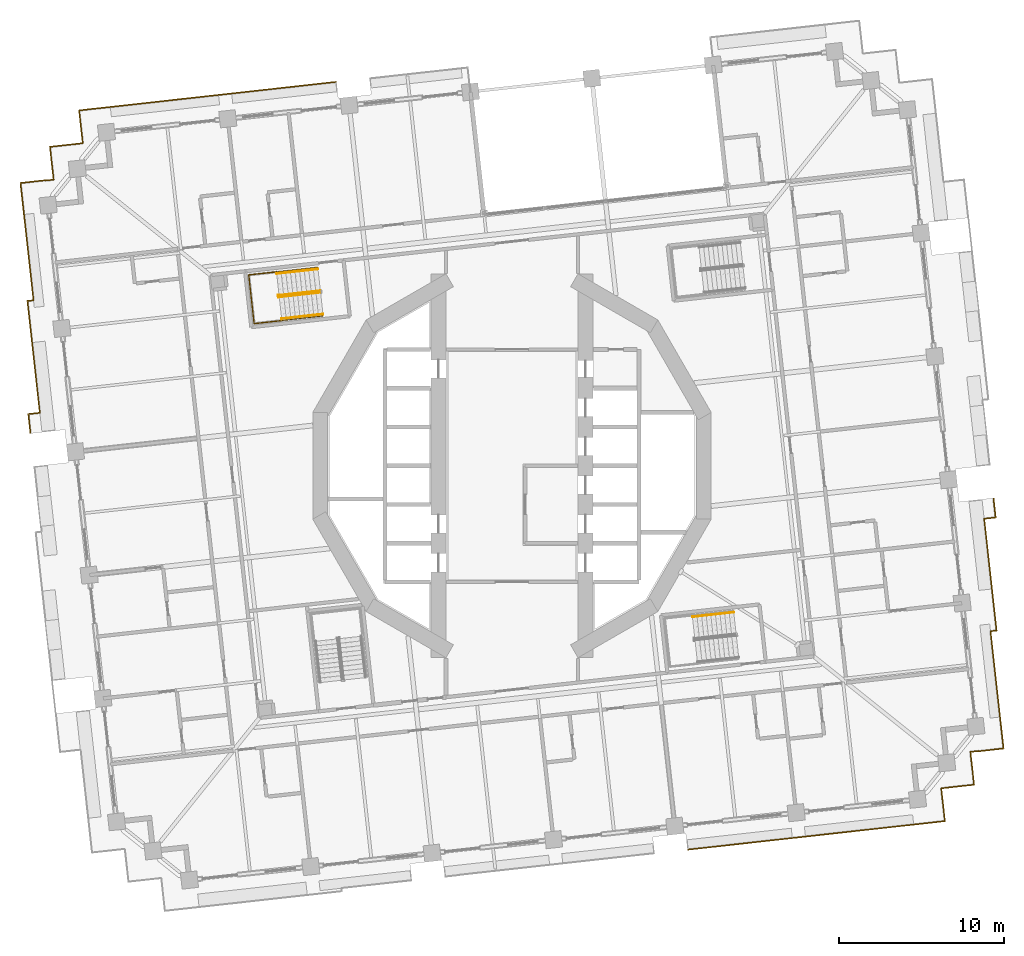
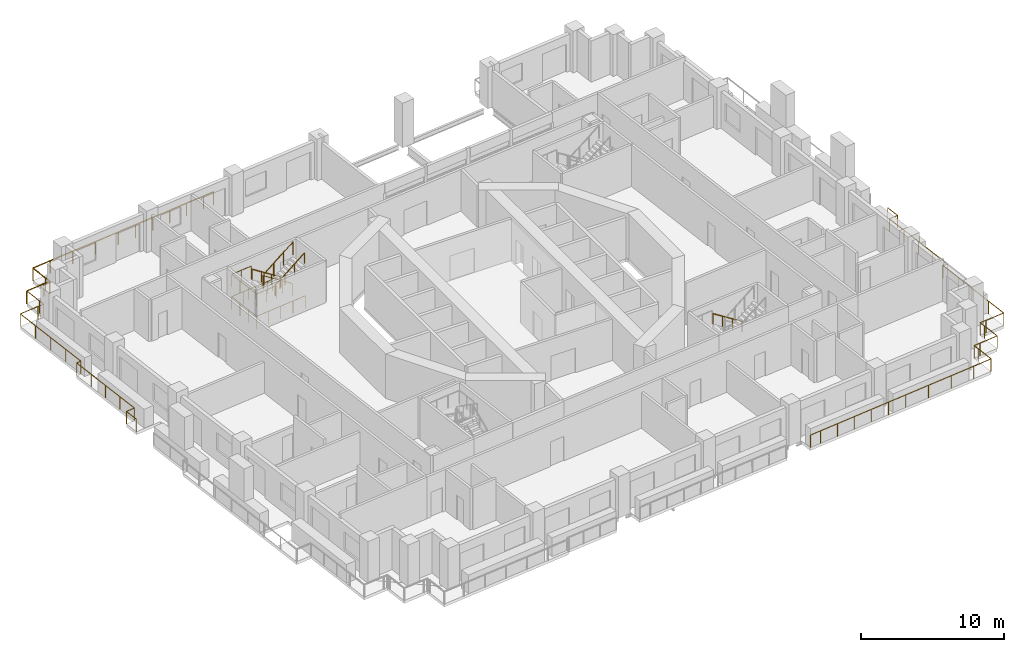
# One storey, part 17 of 20: 11 railings.
"""IFC4 building model written with IfcOpenShell, lengths in metres."""

import ifcopenshell
import ifcopenshell.guid

model = None  # the IFC model being written
_history = None  # IfcOwnerHistory: only IFC2X3 demands one
_inside = {}  # id of a spatial element -> (the spatial element, [elements in it])
_under = {}  # id of a project, library or spatial element -> (it, [spatial elements below it])
_declared = {}  # id of a project -> (the project, [libraries it declares])
_typed = {}  # id of a type object -> (the type object, [elements of that type])
_made_of = {}  # id of a material, layer set ... -> (it, [elements and type objects made of it])


def new_model(schema):
    """Start an empty IFC model of exactly this schema.

    Asked for "IFC4X3", IfcOpenShell would pick the latest addendum, in which some entities
    have other attributes; the version numbers below select the first issue.
    IFC2X3 requires an IfcOwnerHistory on every rooted entity: one is made here for all.
    """
    global model, _history
    if schema == "IFC4X3":
        model = ifcopenshell.file(schema_version=(4, 3, 0, 0))
    else:
        model = ifcopenshell.file(schema=schema)
    _inside.clear()
    _under.clear()
    _declared.clear()
    _typed.clear()
    _made_of.clear()
    _history = None
    if model.schema == "IFC2X3":
        org = make("IfcOrganization", Name="unknown")
        user = make(
            "IfcPersonAndOrganization",
            ThePerson=make("IfcPerson", FamilyName="unknown"),
            TheOrganization=org,
        )
        app = make(
            "IfcApplication",
            ApplicationDeveloper=org,
            Version="unknown",
            ApplicationFullName="unknown",
            ApplicationIdentifier="unknown",
        )
        _history = make(
            "IfcOwnerHistory",
            OwningUser=user,
            OwningApplication=app,
            ChangeAction="ADDED",
            CreationDate=0,
        )
    return model


def make(cls, **values):
    """One entity of the class cls with the attributes given. An attribute that is None is left unset."""
    return model.create_entity(
        cls, **{name: value for name, value in values.items() if value is not None}
    )


def rooted(cls, **values):
    """An entity with a GlobalId (a new one), such as an element, a storey or a relation."""
    return make(cls, GlobalId=ifcopenshell.guid.new(), OwnerHistory=_history, **values)


def si_unit(unit_type, name, prefix=None):
    """IfcSIUnit, for example si_unit("LENGTHUNIT", "METRE", prefix="MILLI")."""
    return make("IfcSIUnit", UnitType=unit_type, Prefix=prefix, Name=name)


def assignment(units):
    """IfcUnitAssignment: the units of a project."""
    return None if units is None else make("IfcUnitAssignment", Units=units)


def point(xyz):
    """IfcCartesianPoint."""
    return None if xyz is None else make("IfcCartesianPoint", Coordinates=xyz)


def direction(xyz):
    """IfcDirection."""
    return None if xyz is None else make("IfcDirection", DirectionRatios=xyz)


def frame(location, z_axis=None, x_axis=None):
    """IfcAxis2Placement3D, a coordinate frame: its origin and axes. An axis left out is left unset."""
    return make(
        "IfcAxis2Placement3D",
        Location=point(location),
        Axis=direction(z_axis),
        RefDirection=direction(x_axis),
    )


def frame_2d(location, x_axis=None):
    """IfcAxis2Placement2D, a coordinate frame in the plane: its origin and x axis."""
    return make(
        "IfcAxis2Placement2D", Location=point(location), RefDirection=direction(x_axis)
    )


def origin():
    """The frame at (0, 0, 0) with its axes left unset."""
    return frame((0.0, 0.0, 0.0))


def origin_2d():
    """The frame at (0, 0) in the plane with its x axis left unset."""
    return frame_2d((0.0, 0.0))


def place(relative_to, where):
    """IfcLocalPlacement: puts the frame where relative to a parent placement (None: the world)."""
    return make(
        "IfcLocalPlacement", PlacementRelTo=relative_to, RelativePlacement=where
    )


def context(
    kind, dimensions, precision=None, world=None, true_north=None, identifier=None
):
    """IfcGeometricRepresentationContext, for example the 3D "Model" context."""
    return make(
        "IfcGeometricRepresentationContext",
        ContextIdentifier=identifier,
        ContextType=kind,
        CoordinateSpaceDimension=dimensions,
        Precision=precision,
        WorldCoordinateSystem=world,
        TrueNorth=true_north,
    )


def subcontext(parent, identifier, kind, view, scale=None):
    """IfcGeometricRepresentationSubContext, for example "Body" below "Model"."""
    return make(
        "IfcGeometricRepresentationSubContext",
        ContextIdentifier=identifier,
        ContextType=kind,
        ParentContext=parent,
        TargetScale=scale,
        TargetView=view,
    )


def project(units=None, contexts=None):
    """IfcProject with its units and contexts."""
    return rooted(
        "IfcProject",
        Name="project",
        RepresentationContexts=contexts,
        UnitsInContext=assignment(units),
    )


def spatial(cls, under=None, at=None, **own):
    """A site, building, storey or space (cls), placed at a placement, below another one or the project."""
    s = rooted(cls, ObjectPlacement=at, **own)
    if under is not None:
        _under.setdefault(under.id(), (under, []))[1].append(s)
    return s


def profile(cls, at=None, kind="AREA", **sizes):
    """A parametric profile (cls). Its sizes go by their IFC names, for example OverallWidth=200.0."""
    return make(cls, ProfileType=kind, Position=at, **sizes)


def circle(**sizes):
    """IfcCircleProfileDef."""
    return profile("IfcCircleProfileDef", **sizes)


def extrude(swept, where, along, depth):
    """IfcExtrudedAreaSolid: the profile swept, set in the frame where, extruded along a direction by depth."""
    return make(
        "IfcExtrudedAreaSolid",
        SweptArea=swept,
        Position=where,
        ExtrudedDirection=direction(along),
        Depth=depth,
    )


def shape(context_of_items, identifier, shape_type, items):
    """IfcShapeRepresentation: the items that make up one representation, for example the "Body"."""
    return make(
        "IfcShapeRepresentation",
        ContextOfItems=context_of_items,
        RepresentationIdentifier=identifier,
        RepresentationType=shape_type,
        Items=items,
    )


def material(Name=None, Category=None):
    """IfcMaterial."""
    return make("IfcMaterial", Name=Name, Category=Category)


def made_of(thing, what):
    """Note that an element or type object is made of a material, layer set ...; save() writes the relation."""
    if what is not None:
        _made_of.setdefault(what.id(), (what, []))[1].append(thing)
    return thing


def type_object(cls, material=None, **own):
    """A type object (cls), such as IfcWallType, which elements share."""
    return made_of(rooted(cls, **own), material)


def element(
    cls,
    number,
    at=None,
    inside=None,
    cuts=None,
    type_object=None,
    material=None,
    context=None,
    identifier="Body",
    shape_type=None,
    held_by="IfcProductDefinitionShape",
    body=None,
    shapes=None,
    **own,
):
    """One element of the class cls, such as IfcWall. Its Tag is "e" and its number.

    at: its placement. inside: the storey or other place that contains it. cuts: it is an
    opening in that element (IfcRelVoidsElement). A single representation is given by context,
    identifier, shape_type and body (its items); several are given by shapes. held_by: the class
    of the entity that holds the representations. save() writes the other relations.
    """
    e = rooted(cls, Tag="e%d" % number, ObjectPlacement=at, **own)
    if body is not None:
        shapes = [shape(context, identifier, shape_type, body)]
    if shapes is not None:
        e.Representation = make(held_by, Representations=shapes)
    if inside is not None:
        _inside.setdefault(inside.id(), (inside, []))[1].append(e)
    if cuts is not None:
        rooted(
            "IfcRelVoidsElement", RelatingBuildingElement=cuts, RelatedOpeningElement=e
        )
    if type_object is not None:
        _typed.setdefault(type_object.id(), (type_object, []))[1].append(e)
    return made_of(e, material)


def aggregate(whole, parts):
    """IfcRelAggregates: a whole, such as a stair, and the parts it consists of."""
    return rooted("IfcRelAggregates", RelatingObject=whole, RelatedObjects=parts)


def save(model, path):
    """Write the relations noted so far, then the file.

    IfcRelAggregates (storeys below a building ...), IfcRelContainedInSpatialStructure (elements
    in a storey), IfcRelDefinesByType, IfcRelAssociatesMaterial and IfcRelDeclares: one each for
    every whole, place, type object, material and project.
    """
    for whole, parts in _under.values():
        aggregate(whole, parts)
    for where, things in _inside.values():
        rooted(
            "IfcRelContainedInSpatialStructure",
            RelatedElements=things,
            RelatingStructure=where,
        )
    for kind, things in _typed.values():
        rooted("IfcRelDefinesByType", RelatedObjects=things, RelatingType=kind)
    for what, things in _made_of.values():
        rooted("IfcRelAssociatesMaterial", RelatedObjects=things, RelatingMaterial=what)
    for by, libraries in _declared.values():
        rooted("IfcRelDeclares", RelatingContext=by, RelatedDefinitions=libraries)
    model.write(path)


model = new_model("IFC4")

# Units and contexts
model_context = context("Model", 3, precision=1e-05, world=origin(), true_north=direction((0.0, 1.0)))
body_context = subcontext(model_context, "Body", "Model", "MODEL_VIEW")
ifc_project = project(units=[si_unit("LENGTHUNIT", "METRE"), si_unit("AREAUNIT", "SQUARE_METRE"), si_unit("VOLUMEUNIT", "CUBIC_METRE"), si_unit("PLANEANGLEUNIT", "RADIAN"), si_unit("MASSUNIT", "GRAM", prefix="KILO")], contexts=[model_context])

# Site, building, storey
site_placement = place(None, origin())
site = spatial("IfcSite", under=ifc_project, at=site_placement, CompositionType="ELEMENT")
building_placement = place(site_placement, origin())
building = spatial("IfcBuilding", under=site, at=building_placement, Name="Cantera Rosa Tower", CompositionType="ELEMENT")
storey_placement = place(building_placement, frame((0.0, 0.0, 50.10009765625)))
storey = spatial("IfcBuildingStorey", under=building, at=storey_placement, Name="L09", CompositionType="ELEMENT", Elevation=50.10009765625)

# Railings
ifc_material_1 = material(Name="Stainless steel and laminated glass", Category="steel")
railing_type_1 = type_object("IfcRailingType", Name="GUARD 1100", PredefinedType="BALUSTRADE", material=ifc_material_1)
railing_1_placement = place(storey_placement, frame((-28.003173828125, 19.328857421875, 0.0)))
element("IfcRailing", 1, at=railing_1_placement, inside=storey, type_object=railing_type_1, Name="GUARD L09-3", PredefinedType="BALUSTRADE", context=body_context, shape_type="SweptSolid", body=[
    extrude(circle(Radius=0.030029296875, at=origin_2d()), frame((0.0, 0.0, 1.070068359375), z_axis=(0.993893654236, 0.110342213455, 0.0), x_axis=(-0.110342213455, 0.993893654236, 0.0)), (0.0, 0.0, 1.0), 1.500244140625),
    extrude(circle(Radius=0.030029296875, at=origin_2d()), frame((1.490966796875, 0.16552734375, 1.070068359375), z_axis=(0.9938896893, 0.110377921269, 0.0), x_axis=(-0.110377921269, 0.9938896893, 0.0)), (0.0, 0.0, 1.0), 0.5),
    extrude(circle(Radius=0.030029296875, at=origin_2d()), frame((1.98779296875, 0.220703125, 1.070068359375), z_axis=(-0.110377921269, 0.9938896893, 0.0), x_axis=(-0.9938896893, -0.110377921269, 0.0)), (0.0, 0.0, 1.0), 0.5),
    extrude(circle(Radius=0.030029296875, at=origin_2d()), frame((1.9326171875, 0.717529296875, 1.070068359375), z_axis=(-0.110181444005, 0.99391148972, 0.0), x_axis=(-0.99391148972, -0.110181444005, 0.0)), (0.0, 0.0, 1.0), 1.5),
    extrude(circle(Radius=0.030029296875, at=origin_2d()), frame((1.767333984375, 2.20849609375, 1.070068359375), z_axis=(0.993909513469, 0.110199269672, 0.0), x_axis=(-0.110199269672, 0.993909513469, 0.0)), (0.0, 0.0, 1.0), 1.499755859375),
    extrude(circle(Radius=0.030029296875, at=origin_2d()), frame((3.258056640625, 2.373779296875, 1.070068359375), z_axis=(0.993896343916, 0.1103179838, 0.0), x_axis=(-0.1103179838, 0.993896343916, 0.0)), (0.0, 0.0, 1.0), 5.900146484375),
    extrude(circle(Radius=0.030029296875, at=origin_2d()), frame((9.1220703125, 3.024658203125, 1.070068359375), z_axis=(0.993892663362, 0.110351138256, 0.0), x_axis=(-0.110351138256, 0.993892663362, 0.0)), (0.0, 0.0, 1.0), 3.0),
    extrude(circle(Radius=0.030029296875, at=origin_2d()), frame((12.103759765625, 3.355712890625, 1.070068359375), z_axis=(0.993897260817, 0.110309722784, 0.0), x_axis=(-0.110309722784, 0.993897260817, 0.0)), (0.0, 0.0, 1.0), 4.39990234375),
    extrude(circle(Radius=0.030029296875, at=origin_2d()), frame((16.476806640625, 3.841064453125, 1.070068359375), z_axis=(0.993900832769, 0.110277534522, 0.0), x_axis=(-0.110277534522, 0.993900832769, 0.0)), (0.0, 0.0, 1.0), 0.8701171875),
    extrude(circle(Radius=0.02490234375, at=origin_2d()), origin(), (0.0, 0.0, 1.0), 1.0400390625),
    extrude(circle(Radius=0.02490234375, at=origin_2d()), frame((1.490966796875, 0.16552734375, 0.0)), (0.0, 0.0, 1.0), 1.0400390625),
    extrude(circle(Radius=0.02490234375, at=origin_2d()), frame((1.98779296875, 0.220703125, 0.0)), (0.0, 0.0, 1.0), 1.0400390625),
    extrude(circle(Radius=0.02490234375, at=origin_2d()), frame((1.9326171875, 0.717529296875, 0.0)), (0.0, 0.0, 1.0), 1.0400390625),
    extrude(circle(Radius=0.02490234375, at=origin_2d()), frame((1.767333984375, 2.20849609375, 0.0)), (0.0, 0.0, 1.0), 1.0400390625),
    extrude(circle(Radius=0.02490234375, at=origin_2d()), frame((3.258056640625, 2.373779296875, 0.0)), (0.0, 0.0, 1.0), 1.0400390625),
    extrude(circle(Radius=0.02490234375, at=origin_2d()), frame((5.212646484375, 2.5908203125, 0.0)), (0.0, 0.0, 1.0), 1.0400390625),
    extrude(circle(Radius=0.02490234375, at=origin_2d()), frame((7.16748046875, 2.8076171875, 0.0)), (0.0, 0.0, 1.0), 1.0400390625),
    extrude(circle(Radius=0.02490234375, at=origin_2d()), frame((9.1220703125, 3.024658203125, 0.0)), (0.0, 0.0, 1.0), 1.0400390625),
    extrude(circle(Radius=0.02490234375, at=origin_2d()), frame((10.61279296875, 3.190185546875, 0.0)), (0.0, 0.0, 1.0), 1.0400390625),
    extrude(circle(Radius=0.02490234375, at=origin_2d()), frame((12.103759765625, 3.355712890625, 0.0)), (0.0, 0.0, 1.0), 1.0400390625),
    extrude(circle(Radius=0.02490234375, at=origin_2d()), frame((13.5615234375, 3.517578125, 0.0)), (0.0, 0.0, 1.0), 1.0400390625),
    extrude(circle(Radius=0.02490234375, at=origin_2d()), frame((15.01904296875, 3.67919921875, 0.0)), (0.0, 0.0, 1.0), 1.0400390625),
    extrude(circle(Radius=0.02490234375, at=origin_2d()), frame((16.476806640625, 3.841064453125, 0.0)), (0.0, 0.0, 1.0), 1.0400390625),
    extrude(circle(Radius=0.02490234375, at=origin_2d()), frame((17.341552734375, 3.93701171875, 0.0)), (0.0, 0.0, 1.0), 1.0400390625),
])
railing_2_placement = place(storey_placement, frame((-29.184326171875, 1.982666015625, 0.0)))
element("IfcRailing", 2, at=railing_2_placement, inside=storey, type_object=railing_type_1, Name="GUARD L09-4", PredefinedType="BALUSTRADE", context=body_context, shape_type="SweptSolid", body=[
    extrude(circle(Radius=0.030029296875, at=origin_2d()), frame((0.0, 0.0, 1.070068359375), z_axis=(-0.110315771706, 0.993896589446, 0.0), x_axis=(-0.993896589446, -0.110315771706, 0.0)), (0.0, 0.0, 1.0), 1.157470703125),
    extrude(circle(Radius=0.030029296875, at=origin_2d()), frame((-0.127685546875, 1.150390625, 1.070068359375), z_axis=(0.993892249382, 0.110354866762, 0.0), x_axis=(-0.110354866762, 0.993892249382, 0.0)), (0.0, 0.0, 1.0), 0.698974609375),
    extrude(circle(Radius=0.030029296875, at=origin_2d()), frame((0.567138671875, 1.2275390625, 1.070068359375), z_axis=(-0.11030974647, 0.993897258188, 0.0), x_axis=(-0.993897258188, -0.11030974647, 0.0)), (0.0, 0.0, 1.0), 6.8212890625),
    extrude(circle(Radius=0.030029296875, at=origin_2d()), frame((-0.185302734375, 8.007080078125, 1.070068359375), z_axis=(0.993947743224, 0.109853919999, 0.0), x_axis=(-0.109853919999, 0.993947743224, 0.0)), (0.0, 0.0, 1.0), 0.37109375),
    extrude(circle(Radius=0.030029296875, at=origin_2d()), frame((0.18359375, 8.0478515625, 1.070068359375), z_axis=(-0.110307831849, 0.993897470684, 0.0), x_axis=(-0.993897470684, -0.110307831849, 0.0)), (0.0, 0.0, 1.0), 7.14892578125),
    extrude(circle(Radius=0.030029296875, at=origin_2d()), frame((-0.60498046875, 15.153076171875, 1.070068359375), z_axis=(0.993907259084, 0.11021960053, 0.0), x_axis=(-0.11021960053, 0.993907259084, 0.0)), (0.0, 0.0, 1.0), 1.517333984375),
    extrude(circle(Radius=0.030029296875, at=origin_2d()), frame((0.903076171875, 15.3203125, 1.070068359375), z_axis=(0.099503719021, -0.99503719021, 0.0), x_axis=(0.99503719021, 0.099503719021, 0.0)), (0.0, 0.0, 1.0), 0.01708984375),
    extrude(circle(Radius=0.030029296875, at=origin_2d()), frame((0.90478515625, 15.30322265625, 1.070068359375), z_axis=(0.993895635261, 0.110324368158, 0.0), x_axis=(-0.110324368158, 0.993895635261, 0.0)), (0.0, 0.0, 1.0), 0.500244140625),
    extrude(circle(Radius=0.030029296875, at=origin_2d()), frame((1.40185546875, 15.3583984375, 1.070068359375), z_axis=(-0.110324368158, 0.993895635261, 0.0), x_axis=(-0.993895635261, -0.110324368158, 0.0)), (0.0, 0.0, 1.0), 0.500244140625),
    extrude(circle(Radius=0.030029296875, at=origin_2d()), frame((1.3466796875, 15.85546875, 1.070068359375), z_axis=(-0.110360064491, 0.993891672249, 0.0), x_axis=(-0.993891672249, -0.110360064491, 0.0)), (0.0, 0.0, 1.0), 1.5),
    extrude(circle(Radius=0.02490234375, at=origin_2d()), origin(), (0.0, 0.0, 1.0), 1.0400390625),
    extrude(circle(Radius=0.02490234375, at=origin_2d()), frame((-0.127685546875, 1.150390625, 0.0)), (0.0, 0.0, 1.0), 1.0400390625),
    extrude(circle(Radius=0.02490234375, at=origin_2d()), frame((0.567138671875, 1.2275390625, 0.0)), (0.0, 0.0, 1.0), 1.0400390625),
    extrude(circle(Radius=0.02490234375, at=origin_2d()), frame((0.37890625, 2.92236328125, 0.0)), (0.0, 0.0, 1.0), 1.0400390625),
    extrude(circle(Radius=0.02490234375, at=origin_2d()), frame((0.19091796875, 4.6171875, 0.0)), (0.0, 0.0, 1.0), 1.0400390625),
    extrude(circle(Radius=0.02490234375, at=origin_2d()), frame((0.0029296875, 6.312255859375, 0.0)), (0.0, 0.0, 1.0), 1.0400390625),
    extrude(circle(Radius=0.02490234375, at=origin_2d()), frame((-0.185302734375, 8.007080078125, 0.0)), (0.0, 0.0, 1.0), 1.0400390625),
    extrude(circle(Radius=0.02490234375, at=origin_2d()), frame((0.18359375, 8.0478515625, 0.0)), (0.0, 0.0, 1.0), 1.0400390625),
    extrude(circle(Radius=0.02490234375, at=origin_2d()), frame((-0.013671875, 9.82421875, 0.0)), (0.0, 0.0, 1.0), 1.0400390625),
    extrude(circle(Radius=0.02490234375, at=origin_2d()), frame((-0.210693359375, 11.6005859375, 0.0)), (0.0, 0.0, 1.0), 1.0400390625),
    extrude(circle(Radius=0.02490234375, at=origin_2d()), frame((-0.40771484375, 13.376708984375, 0.0)), (0.0, 0.0, 1.0), 1.0400390625),
    extrude(circle(Radius=0.02490234375, at=origin_2d()), frame((-0.60498046875, 15.153076171875, 0.0)), (0.0, 0.0, 1.0), 1.0400390625),
    extrude(circle(Radius=0.02490234375, at=origin_2d()), frame((0.903076171875, 15.3203125, 0.0)), (0.0, 0.0, 1.0), 1.0400390625),
    extrude(circle(Radius=0.02490234375, at=origin_2d()), frame((0.90478515625, 15.30322265625, 0.0)), (0.0, 0.0, 1.0), 1.0400390625),
    extrude(circle(Radius=0.02490234375, at=origin_2d()), frame((1.40185546875, 15.3583984375, 0.0)), (0.0, 0.0, 1.0), 1.0400390625),
    extrude(circle(Radius=0.02490234375, at=origin_2d()), frame((1.3466796875, 15.85546875, 0.0)), (0.0, 0.0, 1.0), 1.0400390625),
    extrude(circle(Radius=0.02490234375, at=origin_2d()), frame((1.18115234375, 17.34619140625, 0.0)), (0.0, 0.0, 1.0), 1.0400390625),
])
railing_3_placement = place(storey_placement, frame((29.36962890625, -9.98974609375, 0.0)))
element("IfcRailing", 3, at=railing_3_placement, inside=storey, type_object=railing_type_1, Name="GUARD L09-7", PredefinedType="BALUSTRADE", context=body_context, shape_type="SweptSolid", body=[
    extrude(circle(Radius=0.030029296875, at=origin_2d()), frame((0.0, 0.0, 1.070068359375), z_axis=(-0.993947743224, -0.109853919999, 0.0), x_axis=(0.109853919999, -0.993947743224, 0.0)), (0.0, 0.0, 1.0), 0.37109375),
    extrude(circle(Radius=0.030029296875, at=origin_2d()), frame((-0.368896484375, -0.040771484375, 1.070068359375), z_axis=(0.110307831849, -0.993897470684, 0.0), x_axis=(0.993897470684, 0.110307831849, 0.0)), (0.0, 0.0, 1.0), 7.14892578125),
    extrude(circle(Radius=0.030029296875, at=origin_2d()), frame((0.419677734375, -7.14599609375, 1.070068359375), z_axis=(-0.993907259084, -0.11021960053, 0.0), x_axis=(0.11021960053, -0.993907259084, 0.0)), (0.0, 0.0, 1.0), 1.517333984375),
    extrude(circle(Radius=0.030029296875, at=origin_2d()), frame((-1.08837890625, -7.313232421875, 1.070068359375), z_axis=(-0.099503719021, 0.99503719021, 0.0), x_axis=(-0.99503719021, -0.099503719021, 0.0)), (0.0, 0.0, 1.0), 0.01708984375),
    extrude(circle(Radius=0.030029296875, at=origin_2d()), frame((-1.090087890625, -7.296142578125, 1.070068359375), z_axis=(-0.993895635261, -0.110324368158, 0.0), x_axis=(0.110324368158, -0.993895635261, 0.0)), (0.0, 0.0, 1.0), 0.500244140625),
    extrude(circle(Radius=0.030029296875, at=origin_2d()), frame((-1.587158203125, -7.351318359375, 1.070068359375), z_axis=(0.110324368158, -0.993895635261, 0.0), x_axis=(0.993895635261, 0.110324368158, 0.0)), (0.0, 0.0, 1.0), 0.500244140625),
    extrude(circle(Radius=0.030029296875, at=origin_2d()), frame((-1.531982421875, -7.848388671875, 1.070068359375), z_axis=(0.110360064491, -0.993891672249, 0.0), x_axis=(0.993891672249, 0.110360064491, 0.0)), (0.0, 0.0, 1.0), 1.5),
    extrude(circle(Radius=0.030029296875, at=origin_2d()), frame((-1.366455078125, -9.339111328125, 1.070068359375), z_axis=(-0.993893654236, -0.110342213455, 0.0), x_axis=(0.110342213455, -0.993893654236, 0.0)), (0.0, 0.0, 1.0), 1.500244140625),
    extrude(circle(Radius=0.030029296875, at=origin_2d()), frame((-2.857421875, -9.504638671875, 1.070068359375), z_axis=(-0.9938896893, -0.110377921269, 0.0), x_axis=(0.110377921269, -0.9938896893, 0.0)), (0.0, 0.0, 1.0), 0.5),
    extrude(circle(Radius=0.030029296875, at=origin_2d()), frame((-3.354248046875, -9.559814453125, 1.070068359375), z_axis=(0.110377921269, -0.9938896893, 0.0), x_axis=(0.9938896893, 0.110377921269, 0.0)), (0.0, 0.0, 1.0), 0.5),
    extrude(circle(Radius=0.030029296875, at=origin_2d()), frame((-3.299072265625, -10.056640625, 1.070068359375), z_axis=(0.110181444005, -0.99391148972, 0.0), x_axis=(0.99391148972, 0.110181444005, 0.0)), (0.0, 0.0, 1.0), 1.5),
    extrude(circle(Radius=0.030029296875, at=origin_2d()), frame((-3.1337890625, -11.547607421875, 1.070068359375), z_axis=(-0.993909513469, -0.110199269672, 0.0), x_axis=(0.110199269672, -0.993909513469, 0.0)), (0.0, 0.0, 1.0), 1.499755859375),
    extrude(circle(Radius=0.030029296875, at=origin_2d()), frame((-4.62451171875, -11.712890625, 1.070068359375), z_axis=(-0.993896343916, -0.1103179838, 0.0), x_axis=(0.1103179838, -0.993896343916, 0.0)), (0.0, 0.0, 1.0), 5.900146484375),
    extrude(circle(Radius=0.030029296875, at=origin_2d()), frame((-10.488525390625, -12.36376953125, 1.070068359375), z_axis=(-0.993892663362, -0.110351138256, 0.0), x_axis=(0.110351138256, -0.993892663362, 0.0)), (0.0, 0.0, 1.0), 3.0),
    extrude(circle(Radius=0.030029296875, at=origin_2d()), frame((-13.47021484375, -12.69482421875, 1.070068359375), z_axis=(-0.993897260817, -0.110309722784, 0.0), x_axis=(0.110309722784, -0.993897260817, 0.0)), (0.0, 0.0, 1.0), 4.39990234375),
    extrude(circle(Radius=0.030029296875, at=origin_2d()), frame((-17.84326171875, -13.18017578125, 1.070068359375), z_axis=(-0.993900832769, -0.110277534522, 0.0), x_axis=(0.110277534522, -0.993900832769, 0.0)), (0.0, 0.0, 1.0), 0.8701171875),
    extrude(circle(Radius=0.02490234375, at=origin_2d()), origin(), (0.0, 0.0, 1.0), 1.0400390625),
    extrude(circle(Radius=0.02490234375, at=origin_2d()), frame((-0.368896484375, -0.040771484375, 0.0)), (0.0, 0.0, 1.0), 1.0400390625),
    extrude(circle(Radius=0.02490234375, at=origin_2d()), frame((-0.171875, -1.817138671875, 0.0)), (0.0, 0.0, 1.0), 1.0400390625),
    extrude(circle(Radius=0.02490234375, at=origin_2d()), frame((0.025390625, -3.59326171875, 0.0)), (0.0, 0.0, 1.0), 1.0400390625),
    extrude(circle(Radius=0.02490234375, at=origin_2d()), frame((0.22265625, -5.36962890625, 0.0)), (0.0, 0.0, 1.0), 1.0400390625),
    extrude(circle(Radius=0.02490234375, at=origin_2d()), frame((0.419677734375, -7.14599609375, 0.0)), (0.0, 0.0, 1.0), 1.0400390625),
    extrude(circle(Radius=0.02490234375, at=origin_2d()), frame((-1.08837890625, -7.313232421875, 0.0)), (0.0, 0.0, 1.0), 1.0400390625),
    extrude(circle(Radius=0.02490234375, at=origin_2d()), frame((-1.090087890625, -7.296142578125, 0.0)), (0.0, 0.0, 1.0), 1.0400390625),
    extrude(circle(Radius=0.02490234375, at=origin_2d()), frame((-1.587158203125, -7.351318359375, 0.0)), (0.0, 0.0, 1.0), 1.0400390625),
    extrude(circle(Radius=0.02490234375, at=origin_2d()), frame((-1.531982421875, -7.848388671875, 0.0)), (0.0, 0.0, 1.0), 1.0400390625),
    extrude(circle(Radius=0.02490234375, at=origin_2d()), frame((-1.366455078125, -9.339111328125, 0.0)), (0.0, 0.0, 1.0), 1.0400390625),
    extrude(circle(Radius=0.02490234375, at=origin_2d()), frame((-2.857421875, -9.504638671875, 0.0)), (0.0, 0.0, 1.0), 1.0400390625),
    extrude(circle(Radius=0.02490234375, at=origin_2d()), frame((-3.354248046875, -9.559814453125, 0.0)), (0.0, 0.0, 1.0), 1.0400390625),
    extrude(circle(Radius=0.02490234375, at=origin_2d()), frame((-3.299072265625, -10.056640625, 0.0)), (0.0, 0.0, 1.0), 1.0400390625),
    extrude(circle(Radius=0.02490234375, at=origin_2d()), frame((-3.1337890625, -11.547607421875, 0.0)), (0.0, 0.0, 1.0), 1.0400390625),
    extrude(circle(Radius=0.02490234375, at=origin_2d()), frame((-4.62451171875, -11.712890625, 0.0)), (0.0, 0.0, 1.0), 1.0400390625),
    extrude(circle(Radius=0.02490234375, at=origin_2d()), frame((-6.5791015625, -11.929931640625, 0.0)), (0.0, 0.0, 1.0), 1.0400390625),
    extrude(circle(Radius=0.02490234375, at=origin_2d()), frame((-8.533935546875, -12.146728515625, 0.0)), (0.0, 0.0, 1.0), 1.0400390625),
    extrude(circle(Radius=0.02490234375, at=origin_2d()), frame((-10.488525390625, -12.36376953125, 0.0)), (0.0, 0.0, 1.0), 1.0400390625),
    extrude(circle(Radius=0.02490234375, at=origin_2d()), frame((-11.9794921875, -12.529296875, 0.0)), (0.0, 0.0, 1.0), 1.0400390625),
    extrude(circle(Radius=0.02490234375, at=origin_2d()), frame((-13.47021484375, -12.69482421875, 0.0)), (0.0, 0.0, 1.0), 1.0400390625),
    extrude(circle(Radius=0.02490234375, at=origin_2d()), frame((-14.927978515625, -12.856689453125, 0.0)), (0.0, 0.0, 1.0), 1.0400390625),
    extrude(circle(Radius=0.02490234375, at=origin_2d()), frame((-16.385498046875, -13.018310546875, 0.0)), (0.0, 0.0, 1.0), 1.0400390625),
    extrude(circle(Radius=0.02490234375, at=origin_2d()), frame((-17.84326171875, -13.18017578125, 0.0)), (0.0, 0.0, 1.0), 1.0400390625),
    extrude(circle(Radius=0.02490234375, at=origin_2d()), frame((-18.7080078125, -13.276123046875, 0.0)), (0.0, 0.0, 1.0), 1.0400390625),
])
railing_4_placement = place(storey_placement, frame((29.184326171875, -1.982666015625, 0.0)))
element("IfcRailing", 4, at=railing_4_placement, inside=storey, type_object=railing_type_1, Name="GUARD L09-8", PredefinedType="BALUSTRADE", context=body_context, shape_type="SweptSolid", body=[
    extrude(circle(Radius=0.030029296875, at=origin_2d()), frame((0.0, 0.0, 1.070068359375), z_axis=(0.110315771706, -0.993896589446, 0.0), x_axis=(0.993896589446, 0.110315771706, 0.0)), (0.0, 0.0, 1.0), 1.157470703125),
    extrude(circle(Radius=0.030029296875, at=origin_2d()), frame((0.127685546875, -1.150390625, 1.070068359375), z_axis=(-0.993892249382, -0.110354866762, 0.0), x_axis=(0.110354866762, -0.993892249382, 0.0)), (0.0, 0.0, 1.0), 0.698974609375),
    extrude(circle(Radius=0.030029296875, at=origin_2d()), frame((-0.567138671875, -1.2275390625, 1.070068359375), z_axis=(0.11030974647, -0.993897258188, 0.0), x_axis=(0.993897258188, 0.11030974647, 0.0)), (0.0, 0.0, 1.0), 6.8212890625),
    extrude(circle(Radius=0.02490234375, at=origin_2d()), origin(), (0.0, 0.0, 1.0), 1.0400390625),
    extrude(circle(Radius=0.02490234375, at=origin_2d()), frame((0.127685546875, -1.150390625, 0.0)), (0.0, 0.0, 1.0), 1.0400390625),
    extrude(circle(Radius=0.02490234375, at=origin_2d()), frame((-0.567138671875, -1.2275390625, 0.0)), (0.0, 0.0, 1.0), 1.0400390625),
    extrude(circle(Radius=0.02490234375, at=origin_2d()), frame((-0.37890625, -2.92236328125, 0.0)), (0.0, 0.0, 1.0), 1.0400390625),
    extrude(circle(Radius=0.02490234375, at=origin_2d()), frame((-0.19091796875, -4.6171875, 0.0)), (0.0, 0.0, 1.0), 1.0400390625),
    extrude(circle(Radius=0.02490234375, at=origin_2d()), frame((-0.0029296875, -6.312255859375, 0.0)), (0.0, 0.0, 1.0), 1.0400390625),
    extrude(circle(Radius=0.02490234375, at=origin_2d()), frame((0.185302734375, -8.007080078125, 0.0)), (0.0, 0.0, 1.0), 1.0400390625),
])
ifc_material_2 = material(Name="Steel S355J2 (EN 10025-2)", Category="steel")
railing_type_2 = type_object("IfcRailingType", Name="STAIR GUARD 1100", PredefinedType="GUARDRAIL", material=ifc_material_2)
railing_5_placement = place(storey_placement, frame((-11.614013671875, 10.60302734375, 0.18994140625)))
element("IfcRailing", 5, at=railing_5_placement, inside=storey, type_object=railing_type_2, Name="L09 ST-12 stair guard 1", PredefinedType="GUARDRAIL", context=body_context, shape_type="SweptSolid", body=[
    extrude(circle(Radius=0.02392578125, at=origin_2d()), frame((0.0, 0.0, 1.076171875), z_axis=(-0.822437355244, -0.09123050105, 0.561492468674), x_axis=(0.110250758185, -0.993903803353, 0.0)), (0.0, 0.0, 1.0), 3.04541015625),
    extrude(circle(Radius=0.02392578125, at=origin_2d()), frame((-2.504638671875, -0.27783203125, 2.7861328125), z_axis=(-0.932897555956, 0.360141847183, 0.0), x_axis=(-0.360141847183, -0.932897555956, 0.0)), (0.0, 0.0, 1.0), 0.05615234375),
    extrude(circle(Radius=0.02392578125, at=origin_2d()), frame((-2.55712890625, -0.257568359375, 2.7861328125), z_axis=(0.110610055588, -0.993863881828, 0.0), x_axis=(0.993863881828, 0.110610055588, 0.0)), (0.0, 0.0, 1.0), 0.150146484375),
    extrude(circle(Radius=0.02099609375, at=origin_2d()), origin(), (0.0, 0.0, 1.0), 1.052001953125),
    extrude(circle(Radius=0.02099609375, at=origin_2d()), frame((-0.8349609375, -0.092529296875, 0.570068359375)), (0.0, 0.0, 1.0), 1.052001953125),
    extrude(circle(Radius=0.02099609375, at=origin_2d()), frame((-1.669677734375, -0.185302734375, 1.139892578125)), (0.0, 0.0, 1.0), 1.052001953125),
    extrude(circle(Radius=0.02099609375, at=origin_2d()), frame((-2.504638671875, -0.27783203125, 1.7099609375)), (0.0, 0.0, 1.0), 1.052001953125),
    extrude(circle(Radius=0.02099609375, at=origin_2d()), frame((-2.55712890625, -0.257568359375, 1.7099609375)), (0.0, 0.0, 1.0), 1.052001953125),
    extrude(circle(Radius=0.02099609375, at=origin_2d()), frame((-2.54052734375, -0.40673828125, 1.7099609375)), (0.0, 0.0, 1.0), 1.052001953125),
])
railing_6_placement = place(storey_placement, frame((-14.107666015625, 10.227783203125, 2.08984375)))
element("IfcRailing", 6, at=railing_6_placement, inside=storey, type_object=railing_type_2, Name="L09 ST-12 stair guard 2", PredefinedType="GUARDRAIL", context=body_context, shape_type="SweptSolid", body=[
    extrude(circle(Radius=0.02392578125, at=origin_2d()), frame((0.0, 0.0, 1.076171875), z_axis=(0.822437355244, 0.09123050105, 0.561492468674), x_axis=(-0.110250758185, 0.993903803353, 0.0)), (0.0, 0.0, 1.0), 3.04541015625),
    extrude(circle(Radius=0.02099609375, at=origin_2d()), origin(), (0.0, 0.0, 1.0), 1.052001953125),
    extrude(circle(Radius=0.02099609375, at=origin_2d()), frame((0.8349609375, 0.092529296875, 0.570068359375)), (0.0, 0.0, 1.0), 1.052001953125),
    extrude(circle(Radius=0.02099609375, at=origin_2d()), frame((1.669677734375, 0.185302734375, 1.139892578125)), (0.0, 0.0, 1.0), 1.052001953125),
    extrude(circle(Radius=0.02099609375, at=origin_2d()), frame((2.504638671875, 0.27783203125, 1.7099609375)), (0.0, 0.0, 1.0), 1.052001953125),
])
railing_7_placement = place(storey_placement, frame((-11.7841796875, 12.029052734375, 0.0)))
element("IfcRailing", 7, at=railing_7_placement, inside=storey, type_object=railing_type_2, Name="L09 ST-12 stair guard 4", PredefinedType="GUARDRAIL", context=body_context, shape_type="SweptSolid", body=[
    extrude(circle(Radius=0.02392578125, at=origin_2d()), frame((0.0, 0.0, 1.076171875), z_axis=(-0.9938957856, -0.110323013767, 0.0), x_axis=(0.110323013767, -0.9938957856, 0.0)), (0.0, 0.0, 1.0), 4.197998046875),
    extrude(circle(Radius=0.02392578125, at=origin_2d()), frame((-4.17236328125, -0.463134765625, 1.076171875), z_axis=(0.11023303584, -0.99390576908, 0.0), x_axis=(0.99390576908, 0.11023303584, 0.0)), (0.0, 0.0, 1.0), 2.969970703125),
    extrude(circle(Radius=0.02392578125, at=origin_2d()), frame((-3.844970703125, -3.4150390625, 1.076171875), z_axis=(0.993896493372, 0.11031663729, 0.0), x_axis=(-0.11031663729, 0.993896493372, 0.0)), (0.0, 0.0, 1.0), 4.1982421875),
    extrude(circle(Radius=0.02099609375, at=origin_2d()), origin(), (0.0, 0.0, 1.0), 1.052001953125),
    extrude(circle(Radius=0.02099609375, at=origin_2d()), frame((-1.04296875, -0.11572265625, 0.0)), (0.0, 0.0, 1.0), 1.052001953125),
    extrude(circle(Radius=0.02099609375, at=origin_2d()), frame((-2.086181640625, -0.2314453125, 0.0)), (0.0, 0.0, 1.0), 1.052001953125),
    extrude(circle(Radius=0.02099609375, at=origin_2d()), frame((-3.12939453125, -0.347412109375, 0.0)), (0.0, 0.0, 1.0), 1.052001953125),
    extrude(circle(Radius=0.02099609375, at=origin_2d()), frame((-4.17236328125, -0.463134765625, 0.0)), (0.0, 0.0, 1.0), 1.052001953125),
    extrude(circle(Radius=0.02099609375, at=origin_2d()), frame((-4.063232421875, -1.447021484375, 0.0)), (0.0, 0.0, 1.0), 1.052001953125),
    extrude(circle(Radius=0.02099609375, at=origin_2d()), frame((-3.9541015625, -2.43115234375, 0.0)), (0.0, 0.0, 1.0), 1.052001953125),
    extrude(circle(Radius=0.02099609375, at=origin_2d()), frame((-3.844970703125, -3.4150390625, 0.0)), (0.0, 0.0, 1.0), 1.052001953125),
    extrude(circle(Radius=0.02099609375, at=origin_2d()), frame((-2.8017578125, -3.29931640625, 0.0)), (0.0, 0.0, 1.0), 1.052001953125),
    extrude(circle(Radius=0.02099609375, at=origin_2d()), frame((-1.7587890625, -3.18359375, 0.0)), (0.0, 0.0, 1.0), 1.052001953125),
    extrude(circle(Radius=0.02099609375, at=origin_2d()), frame((-0.715576171875, -3.067626953125, 0.0)), (0.0, 0.0, 1.0), 1.052001953125),
    extrude(circle(Radius=0.02099609375, at=origin_2d()), frame((0.32763671875, -2.951904296875, 0.0)), (0.0, 0.0, 1.0), 1.052001953125),
])
railing_8_placement = place(storey_placement, frame((-14.26513671875, 11.753662109375, 1.89990234375)))
element("IfcRailing", 8, at=railing_8_placement, inside=storey, type_object=railing_type_2, Name="L09 ST-12 stair guard 5", PredefinedType="GUARDRAIL", context=body_context, shape_type="SweptSolid", body=[
    extrude(circle(Radius=0.02392578125, at=origin_2d()), frame((0.0, 0.0, 1.076171875), z_axis=(-0.99389597521, -0.110321305562, 0.0), x_axis=(0.110321305562, -0.99389597521, 0.0)), (0.0, 0.0, 1.0), 1.701904296875),
    extrude(circle(Radius=0.02392578125, at=origin_2d()), frame((-1.69140625, -0.187744140625, 1.076171875), z_axis=(0.11023303584, -0.99390576908, 0.0), x_axis=(0.99390576908, 0.11023303584, 0.0)), (0.0, 0.0, 1.0), 2.969970703125),
    extrude(circle(Radius=0.02392578125, at=origin_2d()), frame((-1.364013671875, -3.1396484375, 1.076171875), z_axis=(0.993897720867, 0.110305577623, 0.0), x_axis=(-0.110305577623, 0.993897720867, 0.0)), (0.0, 0.0, 1.0), 1.7021484375),
    extrude(circle(Radius=0.02099609375, at=origin_2d()), origin(), (0.0, 0.0, 1.0), 1.052001953125),
    extrude(circle(Radius=0.02099609375, at=origin_2d()), frame((-0.845703125, -0.09375, 0.0)), (0.0, 0.0, 1.0), 1.052001953125),
    extrude(circle(Radius=0.02099609375, at=origin_2d()), frame((-1.69140625, -0.187744140625, 0.0)), (0.0, 0.0, 1.0), 1.052001953125),
    extrude(circle(Radius=0.02099609375, at=origin_2d()), frame((-1.582275390625, -1.171630859375, 0.0)), (0.0, 0.0, 1.0), 1.052001953125),
    extrude(circle(Radius=0.02099609375, at=origin_2d()), frame((-1.47314453125, -2.15576171875, 0.0)), (0.0, 0.0, 1.0), 1.052001953125),
    extrude(circle(Radius=0.02099609375, at=origin_2d()), frame((-1.364013671875, -3.1396484375, 0.0)), (0.0, 0.0, 1.0), 1.052001953125),
    extrude(circle(Radius=0.02099609375, at=origin_2d()), frame((-0.51806640625, -3.0458984375, 0.0)), (0.0, 0.0, 1.0), 1.052001953125),
    extrude(circle(Radius=0.02099609375, at=origin_2d()), frame((0.32763671875, -2.951904296875, 0.0)), (0.0, 0.0, 1.0), 1.052001953125),
])
ifc_material_3 = material(Name="Steel S355J2 (EN 10025-2)", Category="steel")
railing_type_3 = type_object("IfcRailingType", Name="STAIR HANDRAIL 900", PredefinedType="HANDRAIL", material=ifc_material_3)
railing_9_placement = place(storey_placement, frame((-11.76025390625, 11.921142578125, 0.18994140625)))
element("IfcRailing", 9, at=railing_9_placement, inside=storey, type_object=railing_type_3, Name="L09 ST-12 stair handrail 1", PredefinedType="HANDRAIL", context=body_context, shape_type="SweptSolid", body=[
    extrude(circle(Radius=0.02392578125, at=origin_2d()), frame((0.0, 0.0, 0.8759765625), z_axis=(-0.822431337597, -0.091310000343, 0.561488360321), x_axis=(0.110346460196, -0.993893182753, 0.0)), (0.0, 0.0, 1.0), 3.04541015625),
    extrude(circle(Radius=0.02099609375, at=origin_2d()), origin(), (0.0, 0.0, 1.0), 0.851806640625),
    extrude(circle(Radius=0.02099609375, at=origin_2d()), frame((-0.8349609375, -0.0927734375, 0.570068359375)), (0.0, 0.0, 1.0), 0.851806640625),
    extrude(circle(Radius=0.02099609375, at=origin_2d()), frame((-1.669677734375, -0.185302734375, 1.139892578125)), (0.0, 0.0, 1.0), 0.851806640625),
    extrude(circle(Radius=0.02099609375, at=origin_2d()), frame((-2.504638671875, -0.278076171875, 1.7099609375)), (0.0, 0.0, 1.0), 0.851806640625),
])
railing_10_placement = place(storey_placement, frame((-13.96142578125, 8.909912109375, 2.08984375)))
element("IfcRailing", 10, at=railing_10_placement, inside=storey, type_object=railing_type_3, Name="L09 ST-12 stair handrail 2", PredefinedType="HANDRAIL", context=body_context, shape_type="SweptSolid", body=[
    extrude(circle(Radius=0.02392578125, at=origin_2d()), frame((0.0, 0.0, 0.8759765625), z_axis=(0.822437355244, 0.09123050105, 0.561492468674), x_axis=(-0.110250758185, 0.993903803353, 0.0)), (0.0, 0.0, 1.0), 3.04541015625),
    extrude(circle(Radius=0.02099609375, at=origin_2d()), origin(), (0.0, 0.0, 1.0), 0.851806640625),
    extrude(circle(Radius=0.02099609375, at=origin_2d()), frame((0.8349609375, 0.092529296875, 0.570068359375)), (0.0, 0.0, 1.0), 0.851806640625),
    extrude(circle(Radius=0.02099609375, at=origin_2d()), frame((1.669677734375, 0.185302734375, 1.139892578125)), (0.0, 0.0, 1.0), 0.851806640625),
    extrude(circle(Radius=0.02099609375, at=origin_2d()), frame((2.504638671875, 0.27783203125, 1.7099609375)), (0.0, 0.0, 1.0), 0.851806640625),
])
railing_11_placement = place(storey_placement, frame((13.439697265625, -8.87890625, 0.18994140625)))
element("IfcRailing", 11, at=railing_11_placement, inside=storey, type_object=railing_type_3, Name="L09 ST-14 stair handrail 1", PredefinedType="HANDRAIL", context=body_context, shape_type="SweptSolid", body=[
    extrude(circle(Radius=0.02392578125, at=origin_2d()), frame((0.0, 0.0, 0.8759765625), z_axis=(-0.822431337597, -0.091310000343, 0.561488360321), x_axis=(0.110346460196, -0.993893182753, 0.0)), (0.0, 0.0, 1.0), 3.04541015625),
    extrude(circle(Radius=0.02099609375, at=origin_2d()), origin(), (0.0, 0.0, 1.0), 0.851806640625),
    extrude(circle(Radius=0.02099609375, at=origin_2d()), frame((-0.8349609375, -0.0927734375, 0.570068359375)), (0.0, 0.0, 1.0), 0.851806640625),
    extrude(circle(Radius=0.02099609375, at=origin_2d()), frame((-1.669677734375, -0.185302734375, 1.139892578125)), (0.0, 0.0, 1.0), 0.851806640625),
    extrude(circle(Radius=0.02099609375, at=origin_2d()), frame((-2.504638671875, -0.278076171875, 1.7099609375)), (0.0, 0.0, 1.0), 0.851806640625),
])

save(model, "model.ifc")
